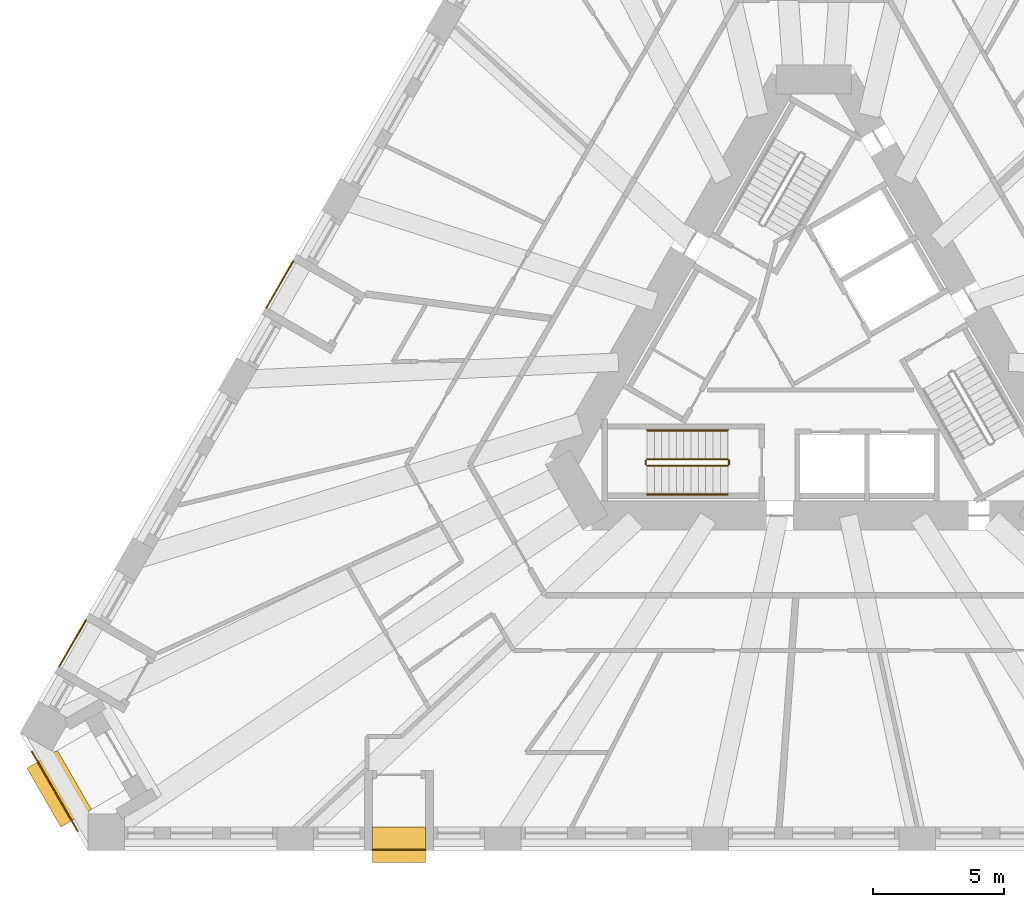
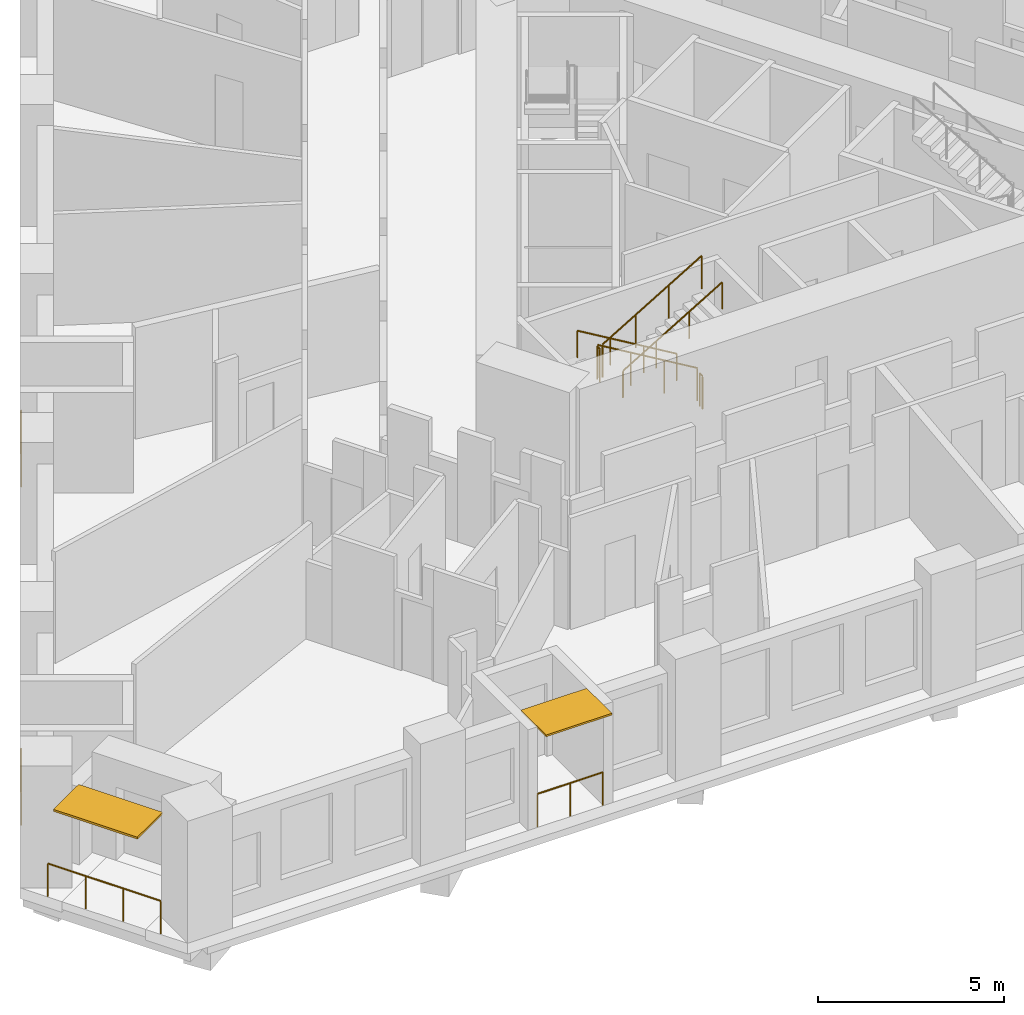
# One storey, part 11 of 14: 10 railings, 2 shading devices.
"""IFC4 building model written with IfcOpenShell, lengths in metres."""

from ifc_helpers import new_model, si_unit, direction, frame, origin, origin_2d, place, context, subcontext, project, spatial, rectangle, circle, extrude, material, layer, layer_set, type_object, element, save


model = new_model("IFC4")

# Units and contexts
model_context = context("Model", 3, precision=1e-05, world=origin(), true_north=direction((0.0, 1.0)))
body_context = subcontext(model_context, "Body", "Model", "MODEL_VIEW")
ifc_project = project(units=[si_unit("LENGTHUNIT", "METRE"), si_unit("AREAUNIT", "SQUARE_METRE"), si_unit("VOLUMEUNIT", "CUBIC_METRE"), si_unit("PLANEANGLEUNIT", "RADIAN"), si_unit("MASSUNIT", "GRAM", prefix="KILO")], contexts=[model_context])

# Site, building, storey
site_placement = place(None, origin())
site = spatial("IfcSite", under=ifc_project, at=site_placement, CompositionType="ELEMENT")
building_placement = place(site_placement, origin())
building = spatial("IfcBuilding", under=site, at=building_placement, Name="Tramontana Tower", CompositionType="ELEMENT")
storey_placement = place(building_placement, frame((0.0, 0.0, 34.0)))
storey = spatial("IfcBuildingStorey", under=building, at=storey_placement, Name="L06", CompositionType="ELEMENT", Elevation=34.0)

# Railings
ifc_material_1 = material(Name="Laminated glass balustrade", Category="glass")
railing_type_1 = type_object("IfcRailingType", Name="GD1 Loggia glass balustrade 1100", PredefinedType="BALUSTRADE", material=ifc_material_1)
for number, where, name in (
    (1, (-19.877685546875, 3.510986328125, 0.0), "Loggia balustrade L06 G0S0.13"),
    (2, (-27.795654296875, -10.203369140625, 0.0), "Loggia balustrade L06 G0S0.19"),
):
    element("IfcRailing", number, at=place(storey_placement, frame(where)), inside=storey, type_object=railing_type_1, Name=name, PredefinedType="BALUSTRADE", context=body_context, shape_type="SweptSolid", body=[
        extrude(circle(Radius=0.02392578125, at=origin_2d()), frame((0.0, 0.0, 1.076171875), z_axis=(-0.499950448838, -0.866054010271, 0.0), x_axis=(0.866054010271, -0.499950448838, 0.0)), (0.0, 0.0, 1.0), 2.039306640625),
        extrude(circle(Radius=0.02099609375, at=origin_2d()), origin(), (0.0, 0.0, 1.0), 1.052001953125),
        extrude(circle(Radius=0.02099609375, at=origin_2d()), frame((-0.509765625, -0.883056640625, 0.0)), (0.0, 0.0, 1.0), 1.052001953125),
        extrude(circle(Radius=0.02099609375, at=origin_2d()), frame((-1.01953125, -1.76611328125, 0.0)), (0.0, 0.0, 1.0), 1.052001953125),
    ])
railing_1_placement = place(storey_placement, frame((-16.85546875, -18.969970703125, 0.0)))
element("IfcRailing", 3, at=railing_1_placement, inside=storey, type_object=railing_type_1, Name="Loggia balustrade L06 G0S1.4", PredefinedType="BALUSTRADE", context=body_context, shape_type="SweptSolid", body=[
    extrude(circle(Radius=0.02392578125, at=origin_2d()), frame((0.0, 0.0, 1.076171875), z_axis=(1.0, 0.0, 0.0), x_axis=(0.0, 1.0, 0.0)), (0.0, 0.0, 1.0), 2.039306640625),
    extrude(circle(Radius=0.02099609375, at=origin_2d()), origin(), (0.0, 0.0, 1.0), 1.052001953125),
    extrude(circle(Radius=0.02099609375, at=origin_2d()), frame((1.01953125, 0.0, 0.0)), (0.0, 0.0, 1.0), 1.052001953125),
    extrude(circle(Radius=0.02099609375, at=origin_2d()), frame((2.039306640625, 0.0, 0.0)), (0.0, 0.0, 1.0), 1.052001953125),
])
railing_2_placement = place(storey_placement, frame((-28.11083984375, -18.25048828125, 0.0)))
element("IfcRailing", 4, at=railing_2_placement, inside=storey, type_object=railing_type_1, Name="Corner loggia balustrade L06 K01", PredefinedType="BALUSTRADE", context=body_context, shape_type="SweptSolid", body=[
    extrude(circle(Radius=0.02392578125, at=origin_2d()), frame((0.0, 0.0, 1.076171875), z_axis=(-0.500010275428, 0.866019471182, 0.0), x_axis=(-0.866019471182, -0.500010275428, 0.0)), (0.0, 0.0, 1.0), 3.5),
    extrude(circle(Radius=0.02099609375, at=origin_2d()), origin(), (0.0, 0.0, 1.0), 1.052001953125),
    extrude(circle(Radius=0.02099609375, at=origin_2d()), frame((-0.583251953125, 1.01025390625, 0.0)), (0.0, 0.0, 1.0), 1.052001953125),
    extrude(circle(Radius=0.02099609375, at=origin_2d()), frame((-1.166748046875, 2.020751953125, 0.0)), (0.0, 0.0, 1.0), 1.052001953125),
    extrude(circle(Radius=0.02099609375, at=origin_2d()), frame((-1.75, 3.031005859375, 0.0)), (0.0, 0.0, 1.0), 1.052001953125),
])

# Shading devices
ifc_material_2 = material(Name="Precast concrete 60 MPa", Category="concrete")
ifc_layer_1 = layer(ifc_material_2, 0.06005859375)
ifc_layer_set_1 = layer_set([ifc_layer_1], Name="SS1 Stone sunshade blade 60")
shading_device_type_1 = type_object("IfcShadingDeviceType", Name="SS1 Stone sunshade blade 60", PredefinedType="USERDEFINED", material=ifc_layer_set_1)
shading_device_1_placement = place(storey_placement, frame((-15.8359375, -18.77490234375, 3.239990234375), z_axis=(0.0, 0.0, 1.0), x_axis=(1.0, 0.0, 0.0)))
element("IfcShadingDevice", 5, at=shading_device_1_placement, inside=storey, type_object=shading_device_type_1, Name="Sunshade L06 G0S1.4", ObjectType="SUNSHADE", PredefinedType="USERDEFINED", context=body_context, shape_type="SweptSolid", body=[
    extrude(rectangle(XDim=2.039306640625, YDim=1.35009765625, at=origin_2d()), origin(), (0.0, 0.0, 1.0), 0.06005859375),
])
ifc_material_3 = material(Name="Precast concrete 60 MPa", Category="concrete")
ifc_layer_2 = layer(ifc_material_3, 0.070068359375)
ifc_layer_set_2 = layer_set([ifc_layer_2], Name="SS2 Stone sunshade blade 70")
shading_device_type_2 = type_object("IfcShadingDeviceType", Name="SS2 Stone sunshade blade 70", PredefinedType="USERDEFINED", material=ifc_layer_set_2)
shading_device_2_placement = place(storey_placement, frame((-28.81689453125, -16.637451171875, 3.22998046875), z_axis=(0.0, 0.0, 1.0), x_axis=(-0.5, 0.866025403784, 0.0)))
element("IfcShadingDevice", 6, at=shading_device_2_placement, inside=storey, type_object=shading_device_type_2, Name="Corner sunshade L06 K01", ObjectType="SUNSHADE", PredefinedType="USERDEFINED", context=body_context, shape_type="SweptSolid", body=[
    extrude(rectangle(XDim=2.60009765625, YDim=1.35009765625, at=origin_2d()), origin(), (0.0, 0.0, 1.0), 0.070068359375),
])

# Railings
ifc_material_4 = material(Name="Painted steel", Category="steel")
railing_type_2 = type_object("IfcRailingType", Name="STAIR GUARD 1100", PredefinedType="GUARDRAIL", material=ifc_material_4)
railing_3_placement = place(storey_placement, frame((-3.280029296875, -4.050048828125, 0.166748046875)))
element("IfcRailing", 7, at=railing_3_placement, inside=storey, type_object=railing_type_2, Name="L06 ST2 stair guard 1", PredefinedType="GUARDRAIL", context=body_context, shape_type="SweptSolid", body=[
    extrude(circle(Radius=0.02392578125, at=origin_2d()), frame((0.0, 0.0, 1.076171875), z_axis=(-0.859308565015, 0.0, 0.511457515432), x_axis=(0.0, -1.0, 0.0)), (0.0, 0.0, 1.0), 3.58447265625),
    extrude(circle(Radius=0.02099609375, at=origin_2d()), origin(), (0.0, 0.0, 1.0), 1.052001953125),
    extrude(circle(Radius=0.02099609375, at=origin_2d()), frame((-1.026611328125, 0.0, 0.611083984375)), (0.0, 0.0, 1.0), 1.052001953125),
    extrude(circle(Radius=0.02099609375, at=origin_2d()), frame((-2.053466796875, 0.0, 1.22216796875)), (0.0, 0.0, 1.0), 1.052001953125),
    extrude(circle(Radius=0.02099609375, at=origin_2d()), frame((-3.080078125, 0.0, 1.833251953125)), (0.0, 0.0, 1.0), 1.052001953125),
])
railing_4_placement = place(storey_placement, frame((-6.360107421875, -4.300048828125, 2.166748046875)))
element("IfcRailing", 8, at=railing_4_placement, inside=storey, type_object=railing_type_2, Name="L06 ST2 stair guard 2", PredefinedType="GUARDRAIL", context=body_context, shape_type="SweptSolid", body=[
    extrude(circle(Radius=0.02392578125, at=origin_2d()), frame((0.0, 0.0, 1.076171875), z_axis=(0.859308565015, 0.0, 0.511457515432), x_axis=(0.0, 1.0, 0.0)), (0.0, 0.0, 1.0), 3.58447265625),
    extrude(circle(Radius=0.02099609375, at=origin_2d()), origin(), (0.0, 0.0, 1.0), 1.052001953125),
    extrude(circle(Radius=0.02099609375, at=origin_2d()), frame((1.026611328125, 0.0, 0.611083984375)), (0.0, 0.0, 1.0), 1.052001953125),
    extrude(circle(Radius=0.02099609375, at=origin_2d()), frame((2.053466796875, 0.0, 1.22216796875)), (0.0, 0.0, 1.0), 1.052001953125),
    extrude(circle(Radius=0.02099609375, at=origin_2d()), frame((3.080078125, 0.0, 1.833251953125)), (0.0, 0.0, 1.0), 1.052001953125),
])
for number, where, name in (
    (9, (-6.409912109375, -4.10009765625, 2.0), "L06 ST2 stair guard 3"),
    (10, (-3.22998046875, -4.10009765625, 0.0), "L06 ST2 stair guard 4"),
):
    element("IfcRailing", number, at=place(storey_placement, frame(where)), inside=storey, type_object=railing_type_2, Name=name, PredefinedType="GUARDRAIL", context=body_context, shape_type="SweptSolid", body=[
        extrude(circle(Radius=0.02392578125, at=origin_2d()), frame((0.0, 0.0, 1.076171875), z_axis=(0.0, -1.0, 0.0), x_axis=(1.0, 0.0, 0.0)), (0.0, 0.0, 1.0), 0.14990234375),
        extrude(circle(Radius=0.02099609375, at=origin_2d()), origin(), (0.0, 0.0, 1.0), 1.052001953125),
        extrude(circle(Radius=0.02099609375, at=origin_2d()), frame((0.0, -0.14990234375, 0.0)), (0.0, 0.0, 1.0), 1.052001953125),
    ])
ifc_material_5 = material(Name="Painted steel", Category="steel")
railing_type_3 = type_object("IfcRailingType", Name="STAIR HANDRAIL 900", PredefinedType="HANDRAIL", material=ifc_material_5)
railing_5_placement = place(storey_placement, frame((-3.280029296875, -2.949951171875, 0.166748046875)))
element("IfcRailing", 11, at=railing_5_placement, inside=storey, type_object=railing_type_3, Name="L06 ST2 stair handrail 1", PredefinedType="HANDRAIL", context=body_context, shape_type="SweptSolid", body=[
    extrude(circle(Radius=0.02392578125, at=origin_2d()), frame((0.0, 0.0, 0.8759765625), z_axis=(-0.859308565015, 0.0, 0.511457515432), x_axis=(0.0, -1.0, 0.0)), (0.0, 0.0, 1.0), 3.58447265625),
    extrude(circle(Radius=0.02099609375, at=origin_2d()), origin(), (0.0, 0.0, 1.0), 0.851806640625),
    extrude(circle(Radius=0.02099609375, at=origin_2d()), frame((-1.026611328125, 0.0, 0.611083984375)), (0.0, 0.0, 1.0), 0.851806640625),
    extrude(circle(Radius=0.02099609375, at=origin_2d()), frame((-2.053466796875, 0.0, 1.22216796875)), (0.0, 0.0, 1.0), 0.851806640625),
    extrude(circle(Radius=0.02099609375, at=origin_2d()), frame((-3.080078125, 0.0, 1.833251953125)), (0.0, 0.0, 1.0), 0.851806640625),
])
railing_6_placement = place(storey_placement, frame((-6.360107421875, -5.39990234375, 2.166748046875)))
element("IfcRailing", 12, at=railing_6_placement, inside=storey, type_object=railing_type_3, Name="L06 ST2 stair handrail 2", PredefinedType="HANDRAIL", context=body_context, shape_type="SweptSolid", body=[
    extrude(circle(Radius=0.02392578125, at=origin_2d()), frame((0.0, 0.0, 0.8759765625), z_axis=(0.859308565015, 0.0, 0.511457515432), x_axis=(0.0, 1.0, 0.0)), (0.0, 0.0, 1.0), 3.58447265625),
    extrude(circle(Radius=0.02099609375, at=origin_2d()), origin(), (0.0, 0.0, 1.0), 0.851806640625),
    extrude(circle(Radius=0.02099609375, at=origin_2d()), frame((1.026611328125, 0.0, 0.611083984375)), (0.0, 0.0, 1.0), 0.851806640625),
    extrude(circle(Radius=0.02099609375, at=origin_2d()), frame((2.053466796875, 0.0, 1.22216796875)), (0.0, 0.0, 1.0), 0.851806640625),
    extrude(circle(Radius=0.02099609375, at=origin_2d()), frame((3.080078125, 0.0, 1.833251953125)), (0.0, 0.0, 1.0), 0.851806640625),
])

save(model, "model.ifc")
